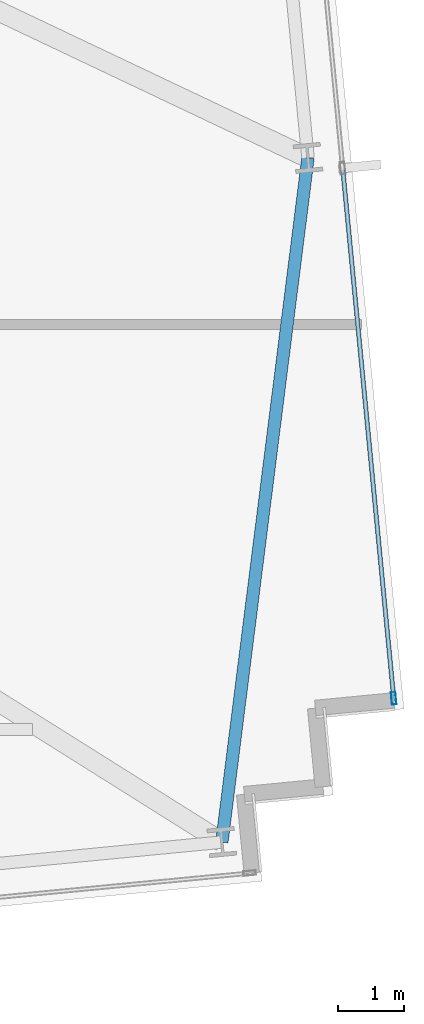
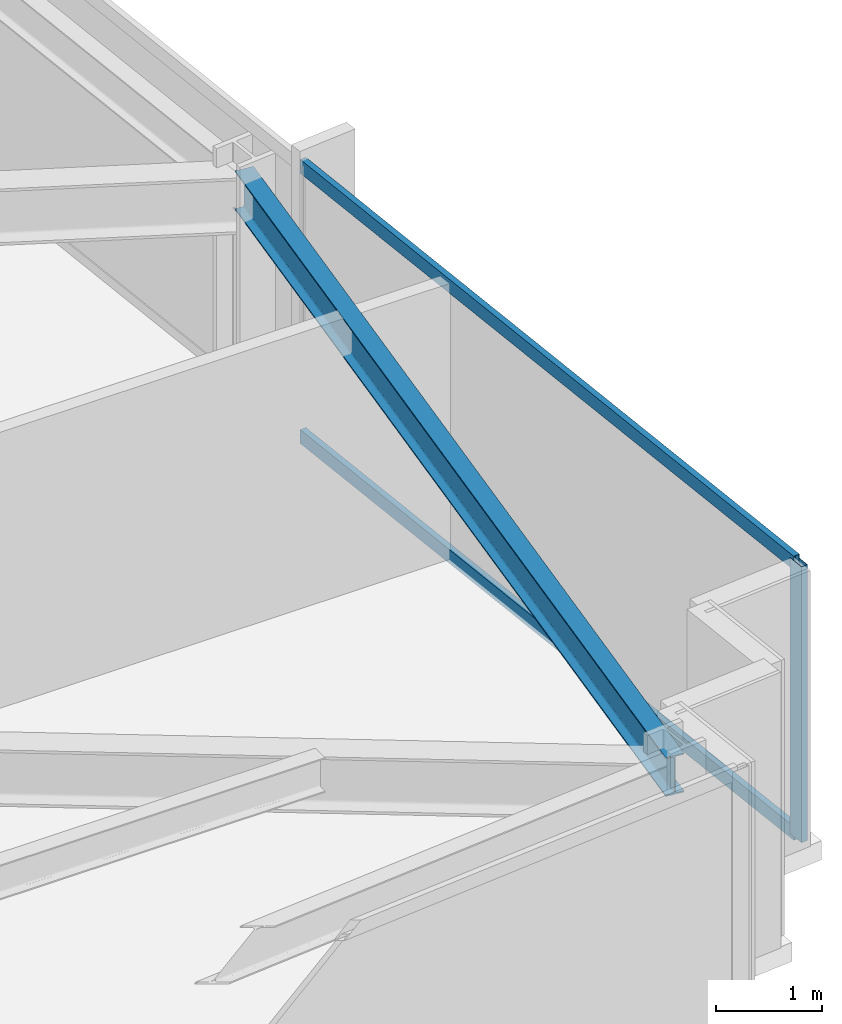
# One storey, part 14 of 32: 3 members, 1 beam, 1 element without a shape of its own.
"""IFC4 building model written with IfcOpenShell, lengths in metres."""

from ifc_helpers import new_model, si_unit, direction, frame, origin, origin_2d, place, context, subcontext, project, spatial, hollow_rectangle, i_section, extrude, material, material_profile, profile_set, type_object, element, aggregate, save


model = new_model("IFC4")

# Units and contexts
model_context = context("Model", 3, precision=1e-05, world=origin(), true_north=direction((0.0, 1.0)))
body_context = subcontext(model_context, "Body", "Model", "MODEL_VIEW")
ifc_project = project(units=[si_unit("LENGTHUNIT", "METRE"), si_unit("AREAUNIT", "SQUARE_METRE"), si_unit("VOLUMEUNIT", "CUBIC_METRE"), si_unit("PLANEANGLEUNIT", "RADIAN"), si_unit("MASSUNIT", "GRAM", prefix="KILO")], contexts=[model_context])

# Site, building, storey
site_placement = place(None, origin())
site = spatial("IfcSite", under=ifc_project, at=site_placement, CompositionType="ELEMENT")
building_placement = place(site_placement, origin())
building = spatial("IfcBuilding", under=site, at=building_placement, Name="Yelkora Congress Tower", CompositionType="ELEMENT")
storey_placement = place(building_placement, frame((0.0, 0.0, 99.89990234375)))
storey = spatial("IfcBuildingStorey", under=building, at=storey_placement, Name="L26", CompositionType="ELEMENT", Elevation=99.89990234375)

# Beam
ifc_material_1 = material(Name="Steel S355J2", Category="steel")
ifc_material_profile_1 = material_profile(ifc_material_1, i_section(OverallWidth=0.18994140625, OverallDepth=0.449951171875, WebThickness=0.009521484375, FlangeThickness=0.0146484375, FilletRadius=0.02099609375, at=origin_2d()), Name="IPE 450")
ifc_profile_set_1 = profile_set([ifc_material_profile_1], Name="Steel S355J2")
beam_type = type_object("IfcBeamType", Name="BM-SPAN-IPE450", PredefinedType="SPANDREL", material=ifc_profile_set_1)
beam_placement = place(storey_placement, frame((74.73193359375, 14.43505859375, 2.955078125), z_axis=(0.124929198684, 0.99216565921, 0.0), x_axis=(-0.99216565921, 0.124929198684, 0.0)))
element("IfcBeam", 1, at=beam_placement, inside=storey, type_object=beam_type, Name="L26 Perimeter Beam 10", PredefinedType="SPANDREL", context=body_context, shape_type="SweptSolid", body=[
    extrude(i_section(OverallWidth=0.18994140625, OverallDepth=0.449951171875, WebThickness=0.009521484375, FlangeThickness=0.0146484375, FilletRadius=0.02099609375, at=origin_2d()), origin(), (0.0, 0.0, 1.0), 10.48046875),
])

# Curtain wall, members
ifc_material_2 = material(Name="Anodised aluminium and insulated glass", Category="aluminium")
curtain_wall_type = type_object("IfcCurtainWallType", Name="CW-SYS-B2", PredefinedType="NOTDEFINED", material=ifc_material_2)
curtain_wall_placement = place(storey_placement, origin())
curtain_wall = element("IfcCurtainWall", 2, at=curtain_wall_placement, inside=storey, type_object=curtain_wall_type, Name="L26 Unitised Curtain Wall 15", PredefinedType="NOTDEFINED")
ifc_material_3 = material(Name="Anodised aluminium 6063-T6", Category="aluminium")
ifc_material_profile_2 = material_profile(ifc_material_3, hollow_rectangle(XDim=0.070068359375, YDim=0.18994140625, WallThickness=0.00390625, at=origin_2d()), Name="ALU 70x190x4")
ifc_profile_set_2 = profile_set([ifc_material_profile_2], Name="Anodised aluminium 6063-T6")
member_type_1 = type_object("IfcMemberType", Name="MEM-ML-B2", PredefinedType="MULLION", material=ifc_profile_set_2)
member_1_placement = place(storey_placement, frame((77.34423828125, 16.62060546875, 0.0), z_axis=(0.0, 0.0, 1.0), x_axis=(0.995396507508, 0.095842541913, 0.0)))
member_1 = element("IfcMember", 3, at=member_1_placement, type_object=member_type_1, Name="CW-B2 mullion 5", PredefinedType="MULLION", context=body_context, shape_type="SweptSolid", body=[
    extrude(hollow_rectangle(XDim=0.070068359375, YDim=0.18994140625, WallThickness=0.00390625, at=origin_2d()), origin(), (0.0, 0.0, 1.0), 3.18017578125),
])
ifc_material_profile_3 = material_profile(ifc_material_3, hollow_rectangle(XDim=0.06494140625, YDim=0.159912109375, WallThickness=0.00390625, at=origin_2d()), Name="ALU 65x160x4")
ifc_profile_set_3 = profile_set([ifc_material_profile_3], Name="Anodised aluminium 6063-T6")
member_type_2 = type_object("IfcMemberType", Name="MEM-TR-B2", PredefinedType="USERDEFINED", material=ifc_profile_set_3)
member_2_placement = place(storey_placement, frame((76.57177734375, 24.6435546875, 0.03271484375), z_axis=(0.095858482834, -0.995394972495, 0.0), x_axis=(0.995394972495, 0.095858482834, 0.0)))
member_2 = element("IfcMember", 4, at=member_2_placement, type_object=member_type_2, Name="CW-B2 transom 4.1", ObjectType="TRANSOM", PredefinedType="USERDEFINED", context=body_context, shape_type="SweptSolid", body=[
    extrude(hollow_rectangle(XDim=0.06494140625, YDim=0.159912109375, WallThickness=0.00390625, at=origin_2d()), origin(), (0.0, 0.0, 1.0), 8.025146484375),
])
member_3_placement = place(storey_placement, frame((76.57177734375, 24.6435546875, 3.147705078125), z_axis=(0.095858482834, -0.995394972495, 0.0), x_axis=(0.995394972495, 0.095858482834, 0.0)))
member_3 = element("IfcMember", 5, at=member_3_placement, type_object=member_type_2, Name="CW-B2 transom 4.2", ObjectType="TRANSOM", PredefinedType="USERDEFINED", context=body_context, shape_type="SweptSolid", body=[
    extrude(hollow_rectangle(XDim=0.06494140625, YDim=0.159912109375, WallThickness=0.00390625, at=origin_2d()), origin(), (0.0, 0.0, 1.0), 8.025146484375),
])
aggregate(curtain_wall, [member_1, member_2, member_3])

save(model, "model.ifc")
